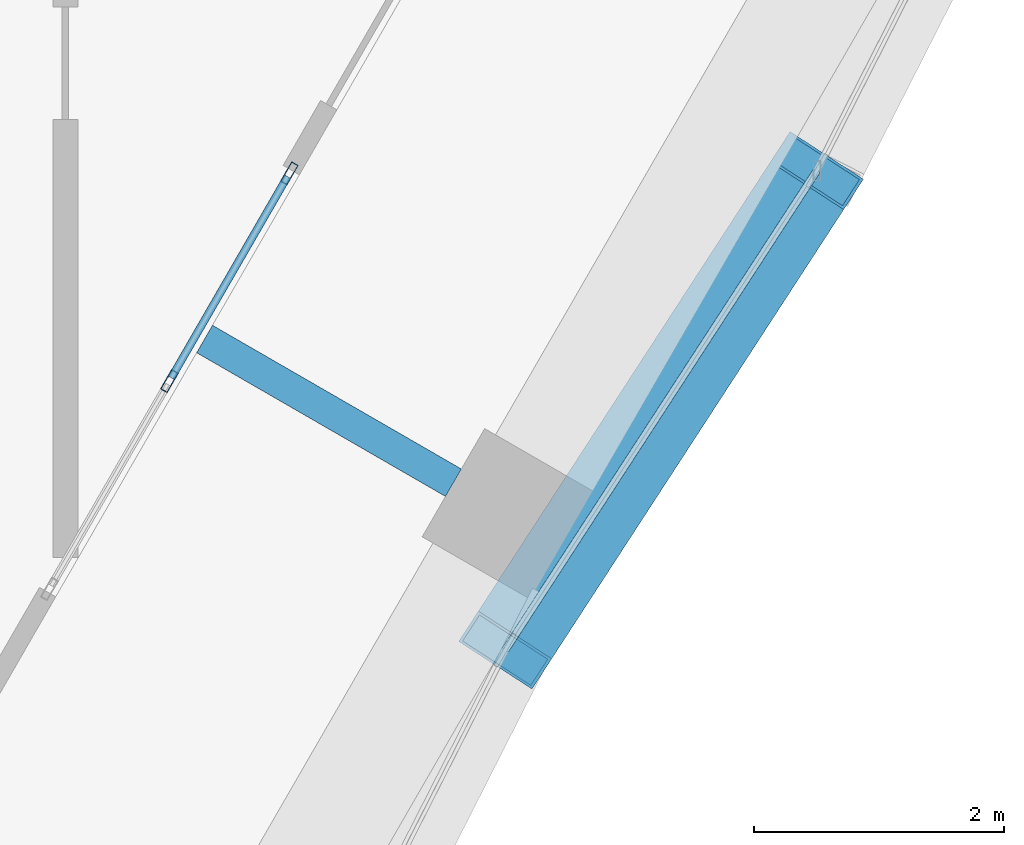
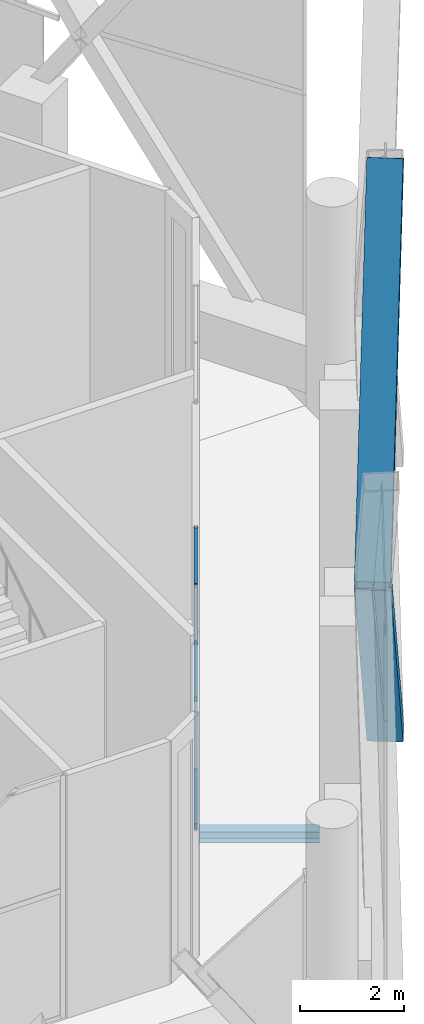
# One storey, part 19 of 43: 8 members, 1 beam, 2 elements without a shape of their own.
"""IFC4 building model written with IfcOpenShell, lengths in metres."""

from ifc_helpers import new_model, si_unit, direction, frame, origin, origin_2d, place, context, subcontext, project, spatial, hollow_rectangle, i_section, extrude, material, material_profile, profile_set, type_object, element, aggregate, save


model = new_model("IFC4")

# Units and contexts
model_context = context("Model", 3, precision=1e-05, world=origin(), true_north=direction((0.0, 1.0)))
body_context = subcontext(model_context, "Body", "Model", "MODEL_VIEW")
ifc_project = project(units=[si_unit("LENGTHUNIT", "METRE"), si_unit("AREAUNIT", "SQUARE_METRE"), si_unit("VOLUMEUNIT", "CUBIC_METRE"), si_unit("PLANEANGLEUNIT", "RADIAN"), si_unit("MASSUNIT", "GRAM", prefix="KILO")], contexts=[model_context])

# Site, building, storey
site_placement = place(None, origin())
site = spatial("IfcSite", under=ifc_project, at=site_placement, CompositionType="ELEMENT")
building_placement = place(site_placement, origin())
building = spatial("IfcBuilding", under=site, at=building_placement, Name="Ostrander Bayou Hotel Tower", CompositionType="ELEMENT")
storey_placement = place(building_placement, frame((0.0, 0.0, 151.0)))
storey = spatial("IfcBuildingStorey", under=building, at=storey_placement, Name="L37", CompositionType="ELEMENT", Elevation=151.0)

# Curtain wall, member
ifc_material_1 = material(Name="Aluminium and clear glass", Category="aluminium")
curtain_wall_type_1 = type_object("IfcCurtainWallType", Name="CW-LAT lattice glazing", PredefinedType="NOTDEFINED", material=ifc_material_1)
curtain_wall_1_placement = place(storey_placement, origin())
curtain_wall_1 = element("IfcCurtainWall", 1, at=curtain_wall_1_placement, inside=storey, type_object=curtain_wall_type_1, Name="CW-LAT L37 SE 2", PredefinedType="NOTDEFINED")
ifc_material_2 = material(Name="Aluminium", Category="aluminium")
ifc_material_profile_1 = material_profile(ifc_material_2, hollow_rectangle(XDim=0.06005859375, YDim=0.1201171875, WallThickness=0.00390625, at=origin_2d()))
ifc_profile_set_1 = profile_set([ifc_material_profile_1], Name="Aluminium")
member_type_1 = type_object("IfcMemberType", Name="CW-LA transom 60 x 120 mm", PredefinedType="USERDEFINED", material=ifc_profile_set_1)
member_1_placement = place(storey_placement, frame((16.51513671875, -9.534912109375, 6.14990234375), z_axis=(-0.544977103491, -0.838450926811, 0.0), x_axis=(0.838450926811, -0.544977103491, 0.0)))
member_1 = element("IfcMember", 2, at=member_1_placement, type_object=member_type_1, Name="CW-LAT transom 6", ObjectType="TRANSOM", PredefinedType="USERDEFINED", context=body_context, shape_type="SweptSolid", body=[
    extrude(hollow_rectangle(XDim=0.06005859375, YDim=0.1201171875, WallThickness=0.00390625, at=origin_2d()), origin(), (0.0, 0.0, 1.0), 4.577880859375),
])
aggregate(curtain_wall_1, [member_1])

# Curtain wall, members
ifc_material_3 = material(Name="Aluminium and clear glass", Category="aluminium")
curtain_wall_type_2 = type_object("IfcCurtainWallType", Name="CW-SKY amenity glass wall", PredefinedType="NOTDEFINED", material=ifc_material_3)
curtain_wall_2_placement = place(storey_placement, origin())
curtain_wall_2 = element("IfcCurtainWall", 3, at=curtain_wall_2_placement, inside=storey, type_object=curtain_wall_type_2, Name="CW-SKY L37 SE 1", PredefinedType="NOTDEFINED")
ifc_material_4 = material(Name="Aluminium", Category="aluminium")
ifc_material_profile_2 = material_profile(ifc_material_4, hollow_rectangle(XDim=0.06005859375, YDim=0.179931640625, WallThickness=0.00390625, at=origin_2d()))
ifc_profile_set_2 = profile_set([ifc_material_profile_2], Name="Aluminium")
member_type_2 = type_object("IfcMemberType", Name="CW-SK mullion 60 x 180 mm", PredefinedType="MULLION", material=ifc_profile_set_2)
member_2_placement = place(storey_placement, frame((11.33349609375, -11.219970703125, 0.0), z_axis=(0.0, 0.0, 1.0), x_axis=(-0.866025463091, 0.499999897278, 0.0)))
member_2 = element("IfcMember", 4, at=member_2_placement, type_object=member_type_2, Name="CW-SKY mullion 2", PredefinedType="MULLION", context=body_context, shape_type="SweptSolid", body=[
    extrude(hollow_rectangle(XDim=0.06005859375, YDim=0.179931640625, WallThickness=0.00390625, at=origin_2d()), origin(), (0.0, 0.0, 1.0), 5.699951171875),
])
member_3_placement = place(storey_placement, frame((12.29345703125, -9.55712890625, 0.0), z_axis=(0.0, 0.0, 1.0), x_axis=(-0.866025463091, 0.499999897278, 0.0)))
member_3 = element("IfcMember", 5, at=member_3_placement, type_object=member_type_2, Name="CW-SKY mullion 3", PredefinedType="MULLION", context=body_context, shape_type="SweptSolid", body=[
    extrude(hollow_rectangle(XDim=0.06005859375, YDim=0.179931640625, WallThickness=0.00390625, at=origin_2d()), origin(), (0.0, 0.0, 1.0), 5.699951171875),
])
ifc_material_5 = material(Name="Aluminium", Category="aluminium")
ifc_material_profile_3 = material_profile(ifc_material_5, hollow_rectangle(XDim=0.06005859375, YDim=0.1201171875, WallThickness=0.00390625, at=origin_2d()))
ifc_profile_set_3 = profile_set([ifc_material_profile_3], Name="Aluminium")
member_type_3 = type_object("IfcMemberType", Name="CW-SK transom 60 x 120 mm", PredefinedType="USERDEFINED", material=ifc_profile_set_3)
member_4_placement = place(storey_placement, frame((11.348388671875, -11.19384765625, 0.030029296875), z_axis=(0.500021687003, 0.866012882425, 0.0), x_axis=(-0.866012882425, 0.500021687003, 0.0)))
member_4 = element("IfcMember", 6, at=member_4_placement, type_object=member_type_3, Name="CW-SKY transom 2.1", ObjectType="TRANSOM", PredefinedType="USERDEFINED", context=body_context, shape_type="SweptSolid", body=[
    extrude(hollow_rectangle(XDim=0.06005859375, YDim=0.1201171875, WallThickness=0.00390625, at=origin_2d()), origin(), (0.0, 0.0, 1.0), 1.85986328125),
])
member_5_placement = place(storey_placement, frame((11.348388671875, -11.19384765625, 3.0), z_axis=(0.500021687003, 0.866012882425, 0.0), x_axis=(-0.866012882425, 0.500021687003, 0.0)))
member_5 = element("IfcMember", 7, at=member_5_placement, type_object=member_type_3, Name="CW-SKY transom 2.2", ObjectType="TRANSOM", PredefinedType="USERDEFINED", context=body_context, shape_type="SweptSolid", body=[
    extrude(hollow_rectangle(XDim=0.06005859375, YDim=0.1201171875, WallThickness=0.00390625, at=origin_2d()), origin(), (0.0, 0.0, 1.0), 1.85986328125),
])
member_6_placement = place(storey_placement, frame((11.348388671875, -11.19384765625, 5.669921875), z_axis=(0.500021687003, 0.866012882425, 0.0), x_axis=(-0.866012882425, 0.500021687003, 0.0)))
member_6 = element("IfcMember", 8, at=member_6_placement, type_object=member_type_3, Name="CW-SKY transom 2.3", ObjectType="TRANSOM", PredefinedType="USERDEFINED", context=body_context, shape_type="SweptSolid", body=[
    extrude(hollow_rectangle(XDim=0.06005859375, YDim=0.1201171875, WallThickness=0.00390625, at=origin_2d()), origin(), (0.0, 0.0, 1.0), 1.85986328125),
])
aggregate(curtain_wall_2, [member_2, member_3, member_4, member_5, member_6])

# Beam
ifc_material_6 = material(Name="Steel ASTM A992", Category="steel")
ifc_material_profile_4 = material_profile(ifc_material_6, i_section(OverallWidth=0.25390625, OverallDepth=0.25341796875, WebThickness=0.008544921875, FlangeThickness=0.01416015625, at=origin_2d()))
ifc_profile_set_4 = profile_set([ifc_material_profile_4], Name="Steel ASTM A992")
beam_type = type_object("IfcBeamType", Name="LB2 loggia bracket W10x49", PredefinedType="BEAM", material=ifc_profile_set_4)
beam_placement = place(storey_placement, frame((13.606201171875, -12.033203125, -0.4267578125), z_axis=(-0.86602648383, 0.499998129301, 0.0), x_axis=(-0.499998129301, -0.86602648383, 0.0)))
element("IfcBeam", 9, at=beam_placement, inside=storey, type_object=beam_type, Name="LB2 L37 SE1", PredefinedType="BEAM", context=body_context, shape_type="SweptSolid", body=[
    extrude(i_section(OverallWidth=0.25390625, OverallDepth=0.25341796875, WebThickness=0.008544921875, FlangeThickness=0.01416015625, at=origin_2d()), origin(), (0.0, 0.0, 1.0), 2.2998046875),
])

# Members
ifc_material_7 = material(Name="Steel ASTM A572 Gr 50", Category="steel")
ifc_material_profile_5 = material_profile(ifc_material_7, hollow_rectangle(XDim=0.699951171875, YDim=0.35009765625, WallThickness=0.02490234375, at=origin_2d()))
ifc_profile_set_5 = profile_set([ifc_material_profile_5], Name="Steel ASTM A572 Gr 50")
member_type_4 = type_object("IfcMemberType", Name="LT1 lattice member box 700 x 350 x 25 mm", PredefinedType="BRACE", material=ifc_profile_set_5)
for number, where, z_axis, x_axis, name in (
    (10, (14.020263671875, -13.373291015625, 6.14990234375), (0.305894865119, 0.47062130046, -0.827613389843), (-0.838450926811, 0.544977103491, 0.0), "LT1 L37 SE 3"),
    (11, (14.020263671875, -13.373291015625, 6.14990234375), (0.305894865119, 0.47062130046, 0.827613389843), (-0.838450926811, 0.544977103491, 0.0), "LT1 L37 SE 4"),
):
    element("IfcMember", number, at=place(storey_placement, frame(where, z_axis=z_axis, x_axis=x_axis)), inside=storey, type_object=member_type_4, Name=name, PredefinedType="BRACE", context=body_context, shape_type="SweptSolid", body=[
        extrude(hollow_rectangle(XDim=0.699951171875, YDim=0.35009765625, WallThickness=0.02490234375, at=origin_2d()), origin(), (0.0, 0.0, 1.0), 8.156005859375),
    ])

save(model, "model.ifc")
